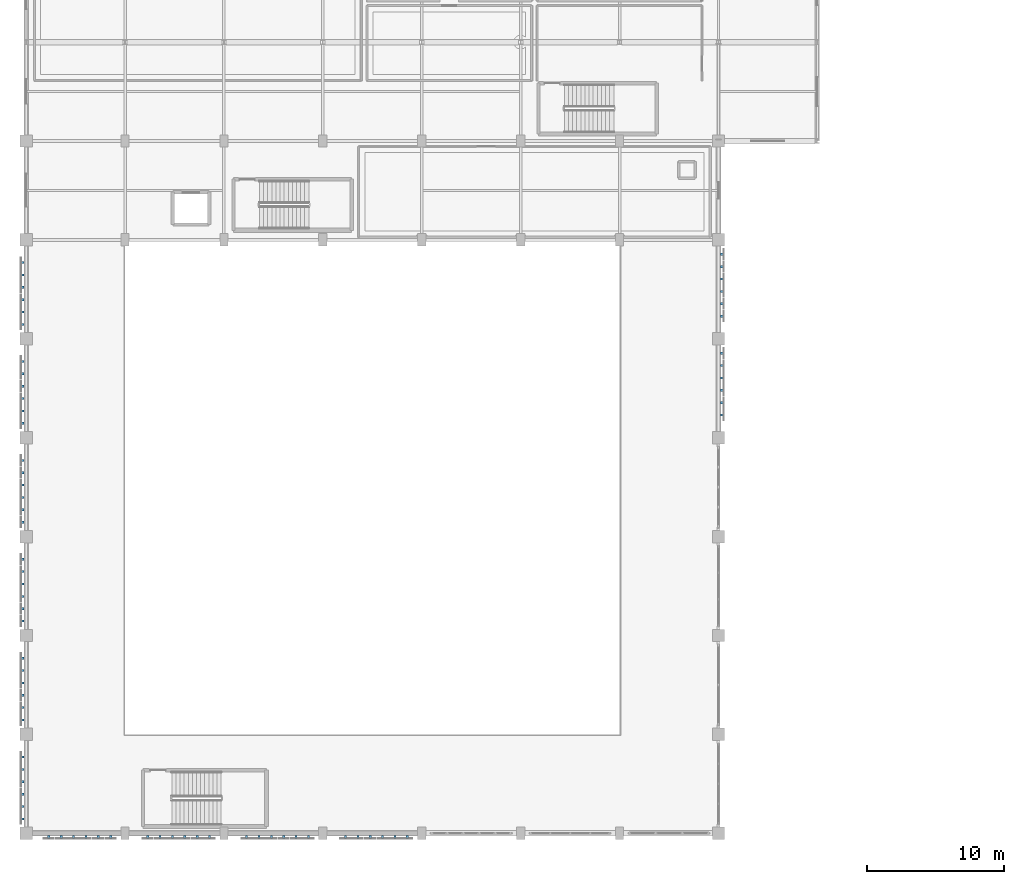
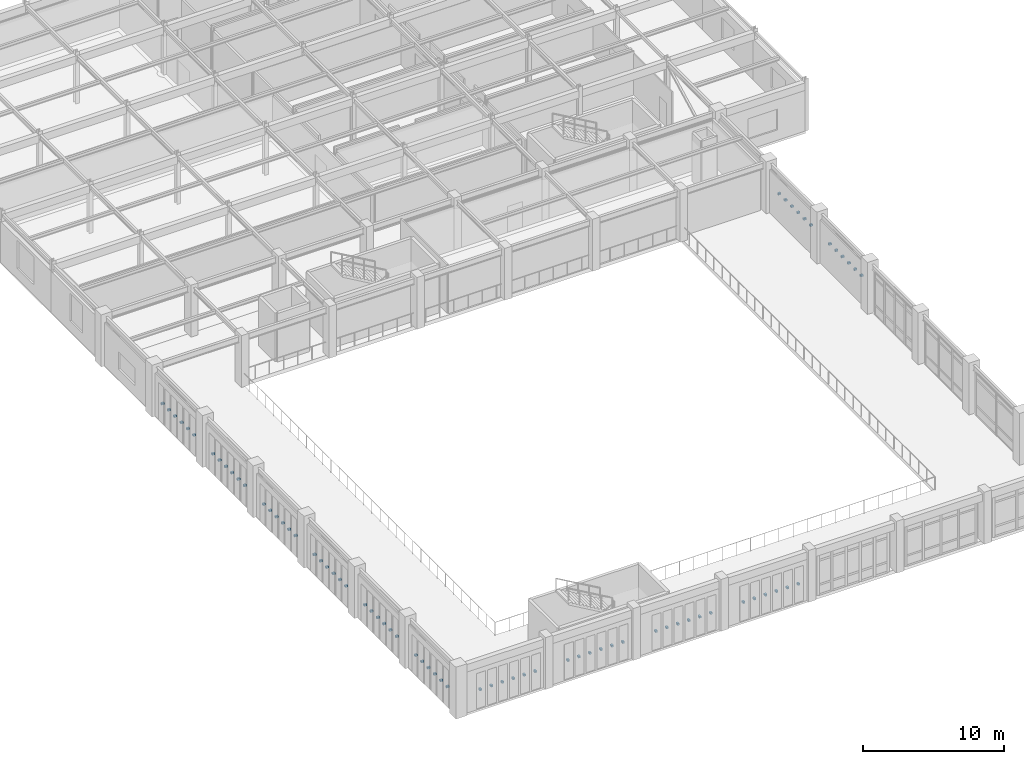
# One storey, part 91 of 106: 72 discrete accessories.
"""IFC4 building model written with IfcOpenShell, lengths in metres."""

from ifc_helpers import new_model, si_unit, direction, frame, origin, origin_2d, place, context, subcontext, project, spatial, rectangle, extrude, material, type_object, element, save


model = new_model("IFC4")

# Units and contexts
model_context = context("Model", 3, precision=1e-05, world=origin(), true_north=direction((0.0, 1.0)))
body_context = subcontext(model_context, "Body", "Model", "MODEL_VIEW")
ifc_project = project(units=[si_unit("LENGTHUNIT", "METRE"), si_unit("AREAUNIT", "SQUARE_METRE"), si_unit("VOLUMEUNIT", "CUBIC_METRE"), si_unit("PLANEANGLEUNIT", "RADIAN"), si_unit("MASSUNIT", "GRAM", prefix="KILO")], contexts=[model_context])

# Site, building, storey
site_placement = place(None, origin())
site = spatial("IfcSite", under=ifc_project, at=site_placement, CompositionType="ELEMENT")
building_placement = place(site_placement, origin())
building = spatial("IfcBuilding", under=site, at=building_placement, Name="Carrowvane Square Congress Hotel", CompositionType="ELEMENT")
storey_placement = place(building_placement, frame((0.0, 0.0, 10.5)))
storey = spatial("IfcBuildingStorey", under=building, at=storey_placement, Name="L02", CompositionType="ELEMENT", Elevation=10.5)

# Discrete accessories
ifc_material = material(Name="Stainless steel 316", Category="steel")
discrete_accessory_type = type_object("IfcDiscreteAccessoryType", Name="ACC-BRK-SS", PredefinedType="BRACKET", material=ifc_material)
for number, where, z_axis, x_axis, name in (
    (1, (11.324951171875, 6.449951171875, 1.79248046875), (0.0, 0.0, 1.0), (0.0, 1.0, 0.0), "Facade screen bracket 43"),
    (2, (11.324951171875, 7.35009765625, 1.79248046875), (0.0, 0.0, 1.0), (0.0, 1.0, 0.0), "Facade screen bracket 44"),
    (3, (11.324951171875, 8.25, 1.79248046875), (0.0, 0.0, 1.0), (0.0, 1.0, 0.0), "Facade screen bracket 45"),
    (4, (11.324951171875, 9.14990234375, 1.79248046875), (0.0, 0.0, 1.0), (0.0, 1.0, 0.0), "Facade screen bracket 46"),
    (5, (11.324951171875, 10.050048828125, 1.79248046875), (0.0, 0.0, 1.0), (0.0, 1.0, 0.0), "Facade screen bracket 47"),
    (6, (11.324951171875, 10.949951171875, 1.79248046875), (0.0, 0.0, 1.0), (0.0, 1.0, 0.0), "Facade screen bracket 48"),
    (7, (11.324951171875, 13.64990234375, 1.79248046875), (0.0, 0.0, 1.0), (0.0, 1.0, 0.0), "Facade screen bracket 49"),
    (8, (11.324951171875, 14.550048828125, 1.79248046875), (0.0, 0.0, 1.0), (0.0, 1.0, 0.0), "Facade screen bracket 50"),
    (9, (11.324951171875, 15.449951171875, 1.79248046875), (0.0, 0.0, 1.0), (0.0, 1.0, 0.0), "Facade screen bracket 51"),
    (10, (11.324951171875, 16.35009765625, 1.79248046875), (0.0, 0.0, 1.0), (0.0, 1.0, 0.0), "Facade screen bracket 52"),
    (11, (11.324951171875, 17.25, 1.79248046875), (0.0, 0.0, 1.0), (0.0, 1.0, 0.0), "Facade screen bracket 53"),
    (12, (11.324951171875, 18.14990234375, 1.79248046875), (0.0, 0.0, 1.0), (0.0, 1.0, 0.0), "Facade screen bracket 54"),
    (13, (11.324951171875, 20.85009765625, 1.79248046875), (0.0, 0.0, 1.0), (0.0, 1.0, 0.0), "Facade screen bracket 55"),
    (14, (11.324951171875, 21.75, 1.79248046875), (0.0, 0.0, 1.0), (0.0, 1.0, 0.0), "Facade screen bracket 56"),
    (15, (11.324951171875, 22.64990234375, 1.79248046875), (0.0, 0.0, 1.0), (0.0, 1.0, 0.0), "Facade screen bracket 57"),
    (16, (11.324951171875, 23.550048828125, 1.79248046875), (0.0, 0.0, 1.0), (0.0, 1.0, 0.0), "Facade screen bracket 58"),
    (17, (11.324951171875, 24.449951171875, 1.79248046875), (0.0, 0.0, 1.0), (0.0, 1.0, 0.0), "Facade screen bracket 59"),
    (18, (11.324951171875, 25.35009765625, 1.79248046875), (0.0, 0.0, 1.0), (0.0, 1.0, 0.0), "Facade screen bracket 60"),
    (19, (11.324951171875, 28.050048828125, 1.79248046875), (0.0, 0.0, 1.0), (0.0, 1.0, 0.0), "Facade screen bracket 61"),
    (20, (11.324951171875, 28.949951171875, 1.79248046875), (0.0, 0.0, 1.0), (0.0, 1.0, 0.0), "Facade screen bracket 62"),
    (21, (11.324951171875, 29.85009765625, 1.79248046875), (0.0, 0.0, 1.0), (0.0, 1.0, 0.0), "Facade screen bracket 63"),
    (22, (11.324951171875, 30.75, 1.79248046875), (0.0, 0.0, 1.0), (0.0, 1.0, 0.0), "Facade screen bracket 64"),
    (23, (11.324951171875, 31.64990234375, 1.79248046875), (0.0, 0.0, 1.0), (0.0, 1.0, 0.0), "Facade screen bracket 65"),
    (24, (11.324951171875, 32.550048828125, 1.79248046875), (0.0, 0.0, 1.0), (0.0, 1.0, 0.0), "Facade screen bracket 66"),
    (25, (11.324951171875, 35.25, 1.79248046875), (0.0, 0.0, 1.0), (0.0, 1.0, 0.0), "Facade screen bracket 67"),
    (26, (11.324951171875, 36.14990234375, 1.79248046875), (0.0, 0.0, 1.0), (0.0, 1.0, 0.0), "Facade screen bracket 68"),
    (27, (11.324951171875, 37.050048828125, 1.79248046875), (0.0, 0.0, 1.0), (0.0, 1.0, 0.0), "Facade screen bracket 69"),
    (28, (11.324951171875, 37.949951171875, 1.79248046875), (0.0, 0.0, 1.0), (0.0, 1.0, 0.0), "Facade screen bracket 70"),
    (29, (11.324951171875, 38.85009765625, 1.79248046875), (0.0, 0.0, 1.0), (0.0, 1.0, 0.0), "Facade screen bracket 71"),
    (30, (11.324951171875, 39.75, 1.79248046875), (0.0, 0.0, 1.0), (0.0, 1.0, 0.0), "Facade screen bracket 72"),
    (31, (11.324951171875, 42.449951171875, 1.79248046875), (0.0, 0.0, 1.0), (0.0, 1.0, 0.0), "Facade screen bracket 73"),
    (32, (11.324951171875, 43.35009765625, 1.79248046875), (0.0, 0.0, 1.0), (0.0, 1.0, 0.0), "Facade screen bracket 74"),
    (33, (11.324951171875, 44.25, 1.79248046875), (0.0, 0.0, 1.0), (0.0, 1.0, 0.0), "Facade screen bracket 75"),
    (34, (11.324951171875, 45.14990234375, 1.79248046875), (0.0, 0.0, 1.0), (0.0, 1.0, 0.0), "Facade screen bracket 76"),
    (35, (11.324951171875, 46.050048828125, 1.79248046875), (0.0, 0.0, 1.0), (0.0, 1.0, 0.0), "Facade screen bracket 77"),
    (36, (11.324951171875, 46.949951171875, 1.79248046875), (0.0, 0.0, 1.0), (0.0, 1.0, 0.0), "Facade screen bracket 78"),
    (37, (62.27490234375, 47.550048828125, 1.79248046875), (0.0, 0.0, 1.0), (0.0, -1.0, 0.0), "Facade screen bracket 166"),
    (38, (62.27490234375, 46.64990234375, 1.79248046875), (0.0, 0.0, 1.0), (0.0, -1.0, 0.0), "Facade screen bracket 167"),
    (39, (62.27490234375, 45.75, 1.79248046875), (0.0, 0.0, 1.0), (0.0, -1.0, 0.0), "Facade screen bracket 168"),
    (40, (62.27490234375, 44.85009765625, 1.79248046875), (0.0, 0.0, 1.0), (0.0, -1.0, 0.0), "Facade screen bracket 169"),
    (41, (62.27490234375, 43.949951171875, 1.79248046875), (0.0, 0.0, 1.0), (0.0, -1.0, 0.0), "Facade screen bracket 170"),
    (42, (62.27490234375, 43.050048828125, 1.79248046875), (0.0, 0.0, 1.0), (0.0, -1.0, 0.0), "Facade screen bracket 171"),
    (43, (62.27490234375, 40.35009765625, 1.79248046875), (0.0, 0.0, 1.0), (0.0, -1.0, 0.0), "Facade screen bracket 172"),
    (44, (62.27490234375, 39.449951171875, 1.79248046875), (0.0, 0.0, 1.0), (0.0, -1.0, 0.0), "Facade screen bracket 173"),
    (45, (62.27490234375, 38.550048828125, 1.79248046875), (0.0, 0.0, 1.0), (0.0, -1.0, 0.0), "Facade screen bracket 174"),
    (46, (62.27490234375, 37.64990234375, 1.79248046875), (0.0, 0.0, 1.0), (0.0, -1.0, 0.0), "Facade screen bracket 175"),
    (47, (62.27490234375, 36.75, 1.79248046875), (0.0, 0.0, 1.0), (0.0, -1.0, 0.0), "Facade screen bracket 176"),
    (48, (62.27490234375, 35.85009765625, 1.79248046875), (0.0, 0.0, 1.0), (0.0, -1.0, 0.0), "Facade screen bracket 177"),
    (49, (39.35009765625, 5.125, 1.69775390625), (0.0, 0.0, 1.0), (-1.0, 0.0, 0.0), "Facade screen bracket 178"),
    (50, (38.449951171875, 5.125, 1.69775390625), (0.0, 0.0, 1.0), (-1.0, 0.0, 0.0), "Facade screen bracket 179"),
    (51, (37.550048828125, 5.125, 1.69775390625), (0.0, 0.0, 1.0), (-1.0, 0.0, 0.0), "Facade screen bracket 180"),
    (52, (36.64990234375, 5.125, 1.69775390625), (0.0, 0.0, 1.0), (-1.0, 0.0, 0.0), "Facade screen bracket 181"),
    (53, (35.75, 5.125, 1.69775390625), (0.0, 0.0, 1.0), (-1.0, 0.0, 0.0), "Facade screen bracket 182"),
    (54, (34.85009765625, 5.125, 1.69775390625), (0.0, 0.0, 1.0), (-1.0, 0.0, 0.0), "Facade screen bracket 183"),
    (55, (32.14990234375, 5.125, 1.69775390625), (0.0, 0.0, 1.0), (-1.0, 0.0, 0.0), "Facade screen bracket 184"),
    (56, (31.25, 5.125, 1.69775390625), (0.0, 0.0, 1.0), (-1.0, 0.0, 0.0), "Facade screen bracket 185"),
    (57, (30.35009765625, 5.125, 1.69775390625), (0.0, 0.0, 1.0), (-1.0, 0.0, 0.0), "Facade screen bracket 186"),
    (58, (29.449951171875, 5.125, 1.69775390625), (0.0, 0.0, 1.0), (-1.0, 0.0, 0.0), "Facade screen bracket 187"),
    (59, (28.550048828125, 5.125, 1.69775390625), (0.0, 0.0, 1.0), (-1.0, 0.0, 0.0), "Facade screen bracket 188"),
    (60, (27.64990234375, 5.125, 1.69775390625), (0.0, 0.0, 1.0), (-1.0, 0.0, 0.0), "Facade screen bracket 189"),
    (61, (24.949951171875, 5.125, 1.69775390625), (0.0, 0.0, 1.0), (-1.0, 0.0, 0.0), "Facade screen bracket 190"),
    (62, (24.050048828125, 5.125, 1.69775390625), (0.0, 0.0, 1.0), (-1.0, 0.0, 0.0), "Facade screen bracket 191"),
    (63, (23.14990234375, 5.125, 1.69775390625), (0.0, 0.0, 1.0), (-1.0, 0.0, 0.0), "Facade screen bracket 192"),
    (64, (22.25, 5.125, 1.69775390625), (0.0, 0.0, 1.0), (-1.0, 0.0, 0.0), "Facade screen bracket 193"),
    (65, (21.35009765625, 5.125, 1.69775390625), (0.0, 0.0, 1.0), (-1.0, 0.0, 0.0), "Facade screen bracket 194"),
    (66, (20.449951171875, 5.125, 1.69775390625), (0.0, 0.0, 1.0), (-1.0, 0.0, 0.0), "Facade screen bracket 195"),
    (67, (17.75, 5.125, 1.69775390625), (0.0, 0.0, 1.0), (-1.0, 0.0, 0.0), "Facade screen bracket 196"),
    (68, (16.85009765625, 5.125, 1.69775390625), (0.0, 0.0, 1.0), (-1.0, 0.0, 0.0), "Facade screen bracket 197"),
    (69, (15.949951171875, 5.125, 1.69775390625), (0.0, 0.0, 1.0), (-1.0, 0.0, 0.0), "Facade screen bracket 198"),
    (70, (15.050048828125, 5.125, 1.69775390625), (0.0, 0.0, 1.0), (-1.0, 0.0, 0.0), "Facade screen bracket 199"),
    (71, (14.14990234375, 5.125, 1.69775390625), (0.0, 0.0, 1.0), (-1.0, 0.0, 0.0), "Facade screen bracket 200"),
    (72, (13.25, 5.125, 1.69775390625), (0.0, 0.0, 1.0), (-1.0, 0.0, 0.0), "Facade screen bracket 201"),
):
    element("IfcDiscreteAccessory", number, at=place(storey_placement, frame(where, z_axis=z_axis, x_axis=x_axis)), inside=storey, type_object=discrete_accessory_type, Name=name, PredefinedType="BRACKET", context=body_context, shape_type="SweptSolid", body=[
        extrude(rectangle(XDim=0.159912109375, YDim=0.219970703125, at=origin_2d()), origin(), (0.0, 0.0, 1.0), 0.159912109375),
    ])

save(model, "model.ifc")
